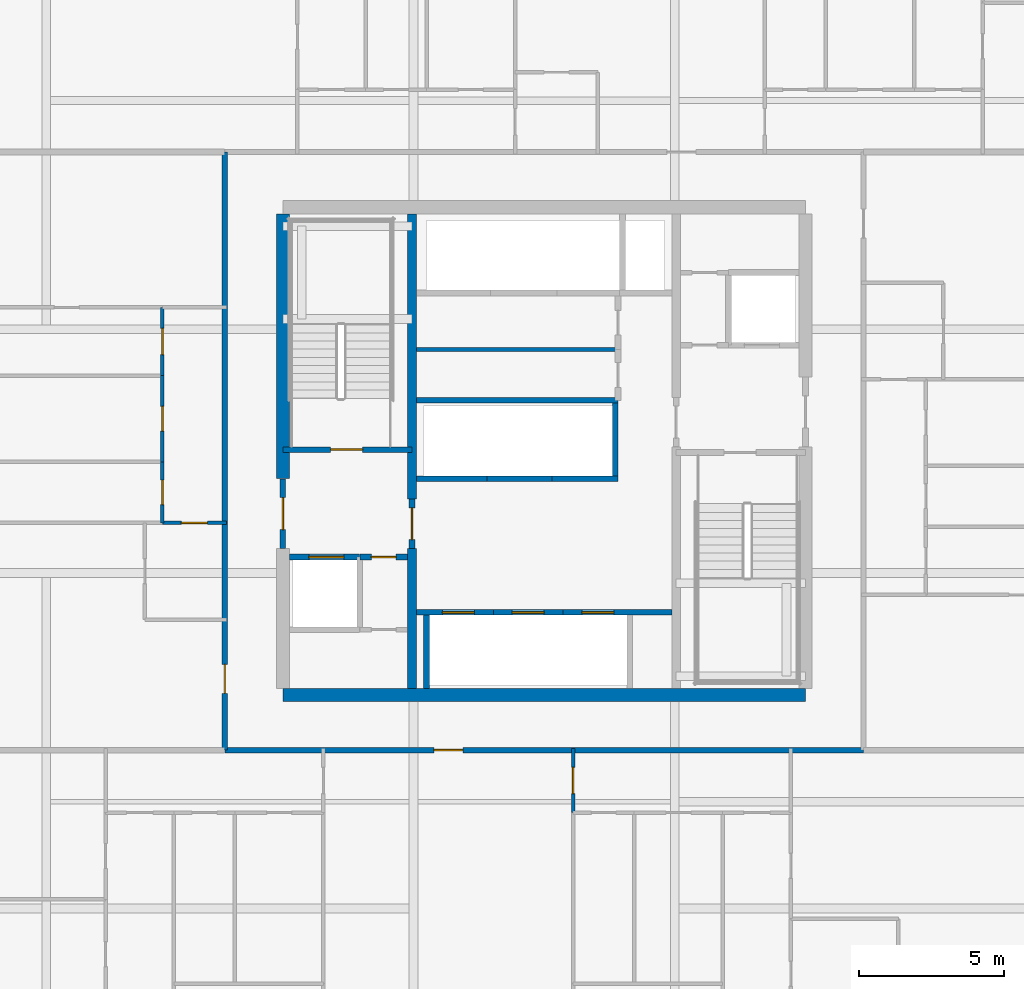
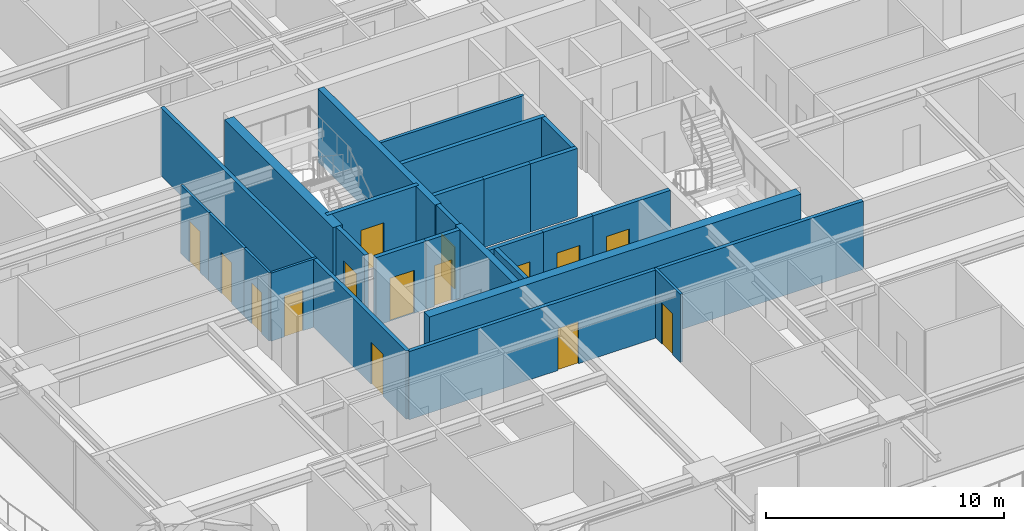
# One storey, part 28 of 41: 26 walls, 15 doors, 15 openings.
"""IFC4 building model written with IfcOpenShell, lengths in metres."""

from ifc_helpers import new_model, si_unit, direction, frame, frame_2d, origin, place, context, subcontext, project, spatial, rectangle, extrude, source, transform, mapped, material, layer, layer_set, type_object, element, fill, save


model = new_model("IFC4")

# Units and contexts
model_context = context("Model", 3, precision=1e-05, world=origin(), true_north=direction((0.0, 1.0)))
body_context = subcontext(model_context, "Body", "Model", "MODEL_VIEW")
ifc_project = project(units=[si_unit("LENGTHUNIT", "METRE"), si_unit("AREAUNIT", "SQUARE_METRE"), si_unit("VOLUMEUNIT", "CUBIC_METRE"), si_unit("PLANEANGLEUNIT", "RADIAN"), si_unit("MASSUNIT", "GRAM", prefix="KILO")], contexts=[model_context])

# Site, building, storey
site_placement = place(None, origin())
site = spatial("IfcSite", under=ifc_project, at=site_placement, CompositionType="ELEMENT")
building_placement = place(site_placement, origin())
building = spatial("IfcBuilding", under=site, at=building_placement, Name="Serunith Strait Residences", CompositionType="ELEMENT")
storey_placement = place(building_placement, frame((0.0, 0.0, 75.449951171875)))
storey = spatial("IfcBuildingStorey", under=building, at=storey_placement, Name="L18", CompositionType="ELEMENT", Elevation=75.449951171875)

# Wall
ifc_material_1 = material(Name="Fire-rated masonry service closet wall", Category="masonry")
ifc_layer_1 = layer(ifc_material_1, 0.14990234375, Name="Fire-rated masonry service closet wall")
ifc_layer_set_1 = layer_set([ifc_layer_1], Name="Fire-rated masonry service closet wall")
wall_type_1 = type_object("IfcWallType", Name="IW-BOH-150", PredefinedType="PARTITIONING", material=ifc_layer_set_1)
wall_1_placement = place(storey_placement, frame((28.0, 28.699951171875, 0.0), z_axis=(0.0, 0.0, 1.0), x_axis=(1.0, 0.0, 0.0)))
element("IfcWall", 1, at=wall_1_placement, inside=storey, type_object=wall_type_1, Name="L18 Partition Wall 016", PredefinedType="PARTITIONING", context=body_context, shape_type="SweptSolid", body=[
    extrude(rectangle(XDim=6.949951171875, YDim=0.14990234375, at=frame_2d((3.47509765625, 0.0))), origin(), (0.0, 0.0, 1.0), 3.489990234375),
])

# Wall, opening, door
ifc_material_2 = material(Name="Fire-rated acoustic gypsum partition")
ifc_layer_2 = layer(ifc_material_2, 0.179931640625, Name="Fire-rated acoustic gypsum partition")
ifc_layer_set_2 = layer_set([ifc_layer_2], Name="Fire-rated acoustic gypsum partition")
wall_type_2 = type_object("IfcWallType", Name="IW-CORR-180", PredefinedType="PARTITIONING", material=ifc_layer_set_2)
wall_2_placement = place(storey_placement, frame((21.402099609375, 14.89990234375, 0.0), z_axis=(0.0, 0.0, 1.0), x_axis=(1.0, 0.0, 0.0)))
wall_2 = element("IfcWall", 2, at=wall_2_placement, inside=storey, type_object=wall_type_2, Name="L18 Partition Wall 021", PredefinedType="PARTITIONING", context=body_context, shape_type="SweptSolid", body=[
    extrude(rectangle(XDim=21.995849609375, YDim=0.179931640625, at=frame_2d((10.998046875, 0.0))), origin(), (0.0, 0.0, 1.0), 3.489990234375),
])
opening_1_placement = place(wall_2_placement, frame((7.201904296875, 0.0, 0.0)))
opening_1 = element("IfcOpeningElement", 3, at=opening_1_placement, cuts=wall_2, Name="Opening D-APT1000", PredefinedType="OPENING", context=body_context, shape_type="SweptSolid", body=[
    extrude(rectangle(XDim=1.0, YDim=2.14990234375, at=frame_2d((0.5, 1.074951171875))), frame((0.0, 0.10009765625, 0.0), z_axis=(0.0, -1.0, 0.0), x_axis=(1.0, 0.0, 0.0)), (0.0, 0.0, 1.0), 0.199951171875),
])
ifc_material_3 = material(Name="Solid timber engineered fire door", Category="wood")
door_type_1 = type_object("IfcDoorType", Name="ID-APT-1000", OperationType="NOTDEFINED", PredefinedType="DOOR", material=ifc_material_3)
shared_shape_1 = source(origin(), body_context, "Body", "SweptSolid", [
    extrude(rectangle(XDim=1.0, YDim=2.14990234375, at=frame_2d((0.5, 1.074951171875))), frame((0.0, 0.02490234375, 0.0), z_axis=(0.0, -1.0, 0.0), x_axis=(1.0, 0.0, 0.0)), (0.0, 0.0, 1.0), 0.050048828125),
])
door_1_placement = place(opening_1_placement, origin())
door_1 = element("IfcDoor", 4, at=door_1_placement, inside=storey, type_object=door_type_1, Name="L18 Unit 01 Entrance Door", OperationType="SINGLE_SWING_RIGHT", OverallHeight=2.14990234375, OverallWidth=1.0, PredefinedType="DOOR", context=body_context, shape_type="MappedRepresentation", body=[
    mapped(shared_shape_1, transform((0.0, 0.0, 0.0), scale=1.0)),
])
fill(opening_1, door_1)

wall_3_placement = place(storey_placement, frame((21.39990234375, 14.89990234375, 0.0), z_axis=(0.0, 0.0, 1.0), x_axis=(0.0, 1.0, 0.0)))
wall_3 = element("IfcWall", 5, at=wall_3_placement, inside=storey, type_object=wall_type_2, Name="L18 Partition Wall 023", PredefinedType="PARTITIONING", context=body_context, shape_type="SweptSolid", body=[
    extrude(rectangle(XDim=20.60009765625, YDim=0.179931640625, at=frame_2d((10.300048828125, 0.0))), origin(), (0.0, 0.0, 1.0), 3.489990234375),
])
opening_2_placement = place(wall_3_placement, frame((1.9599609375, 0.0, 0.0)))
opening_2 = element("IfcOpeningElement", 6, at=opening_2_placement, cuts=wall_3, Name="Opening D-APT1000", PredefinedType="OPENING", context=body_context, shape_type="SweptSolid", body=[
    extrude(rectangle(XDim=1.0, YDim=2.14990234375, at=frame_2d((0.5, 1.074951171875))), frame((0.0, 0.10009765625, 0.0), z_axis=(0.0, -1.0, 0.0), x_axis=(1.0, 0.0, 0.0)), (0.0, 0.0, 1.0), 0.199951171875),
])
door_2_placement = place(opening_2_placement, origin())
door_2 = element("IfcDoor", 7, at=door_2_placement, inside=storey, type_object=door_type_1, Name="L18 Unit 03 Entrance Door", OperationType="SINGLE_SWING_RIGHT", OverallHeight=2.14990234375, OverallWidth=1.0, PredefinedType="DOOR", context=body_context, shape_type="MappedRepresentation", body=[
    mapped(shared_shape_1, transform((0.0, 0.0, 0.0), scale=1.0)),
])
fill(opening_2, door_2)

ifc_material_4 = material(Name="Lightweight steel-stud gypsum partition", Category="steel")
ifc_layer_3 = layer(ifc_material_4, 0.1201171875, Name="Lightweight steel-stud gypsum partition")
ifc_layer_set_3 = layer_set([ifc_layer_3], Name="Lightweight steel-stud gypsum partition")
wall_type_3 = type_object("IfcWallType", Name="IW-PART-120", PredefinedType="PARTITIONING", material=ifc_layer_set_3)
wall_4_placement = place(storey_placement, frame((33.39990234375, 12.75, 0.0), z_axis=(0.0, 0.0, 1.0), x_axis=(0.0, 1.0, 0.0)))
wall_4 = element("IfcWall", 8, at=wall_4_placement, inside=storey, type_object=wall_type_3, Name="L18 Partition Wall 040", PredefinedType="PARTITIONING", context=body_context, shape_type="SweptSolid", body=[
    extrude(rectangle(XDim=2.2099609375, YDim=0.1201171875, at=frame_2d((1.10498046875, 0.0))), origin(), (0.0, 0.0, 1.0), 3.489990234375),
])
opening_3_placement = place(wall_4_placement, frame((0.655029296875, 0.0, 0.0)))
opening_3 = element("IfcOpeningElement", 9, at=opening_3_placement, cuts=wall_4, Name="Opening D-RM900", PredefinedType="OPENING", context=body_context, shape_type="SweptSolid", body=[
    extrude(rectangle(XDim=0.89990234375, YDim=2.10009765625, at=frame_2d((0.449951171875, 1.050048828125))), frame((0.0, 0.070068359375, 0.0), z_axis=(0.0, -1.0, 0.0), x_axis=(1.0, 0.0, 0.0)), (0.0, 0.0, 1.0), 0.14013671875),
])
ifc_material_5 = material(Name="Engineered timber flush bedroom door", Category="wood")
door_type_2 = type_object("IfcDoorType", Name="ID-ROOM-900", OperationType="NOTDEFINED", PredefinedType="DOOR", material=ifc_material_5)
shared_shape_2 = source(origin(), body_context, "Body", "SweptSolid", [
    extrude(rectangle(XDim=0.89990234375, YDim=2.10009765625, at=frame_2d((0.449951171875, 1.050048828125))), frame((0.0, 0.02490234375, 0.0), z_axis=(0.0, -1.0, 0.0), x_axis=(1.0, 0.0, 0.0)), (0.0, 0.0, 1.0), 0.050048828125),
])
door_3_placement = place(opening_3_placement, origin())
door_3 = element("IfcDoor", 10, at=door_3_placement, inside=storey, type_object=door_type_2, Name="L18 Hall E 1801 Door", OperationType="SINGLE_SWING_LEFT", OverallHeight=2.10009765625, OverallWidth=0.89990234375, PredefinedType="DOOR", context=body_context, shape_type="MappedRepresentation", body=[
    mapped(shared_shape_2, transform((0.0, 0.0, 0.0), scale=1.0)),
])
fill(opening_3, door_3)

wall_5_placement = place(storey_placement, frame((19.25, 22.72998046875, 0.0), z_axis=(0.0, 0.0, 1.0), x_axis=(1.0, 0.0, 0.0)))
wall_5 = element("IfcWall", 11, at=wall_5_placement, inside=storey, type_object=wall_type_3, Name="L18 Partition Wall 089", PredefinedType="PARTITIONING", context=body_context, shape_type="SweptSolid", body=[
    extrude(rectangle(XDim=2.2099609375, YDim=0.1201171875, at=frame_2d((1.10498046875, 0.0))), origin(), (0.0, 0.0, 1.0), 3.489990234375),
])
opening_4_placement = place(wall_5_placement, frame((0.655029296875, 0.0, 0.0)))
opening_4 = element("IfcOpeningElement", 12, at=opening_4_placement, cuts=wall_5, Name="Opening D-RM900", PredefinedType="OPENING", context=body_context, shape_type="SweptSolid", body=[
    extrude(rectangle(XDim=0.89990234375, YDim=2.10009765625, at=frame_2d((0.449951171875, 1.050048828125))), frame((0.0, 0.070068359375, 0.0), z_axis=(0.0, -1.0, 0.0), x_axis=(1.0, 0.0, 0.0)), (0.0, 0.0, 1.0), 0.14013671875),
])
door_4_placement = place(opening_4_placement, origin())
door_4 = element("IfcDoor", 13, at=door_4_placement, inside=storey, type_object=door_type_2, Name="L18 Hall E 1803 Door", OperationType="SINGLE_SWING_RIGHT", OverallHeight=2.10009765625, OverallWidth=0.89990234375, PredefinedType="DOOR", context=body_context, shape_type="MappedRepresentation", body=[
    mapped(shared_shape_2, transform((0.0, 0.0, 0.0), scale=1.0)),
])
fill(opening_4, door_4)

wall_6_placement = place(storey_placement, frame((19.25, 22.72998046875, 0.0), z_axis=(0.0, 0.0, 1.0), x_axis=(0.0, 1.0, 0.0)))
wall_6 = element("IfcWall", 14, at=wall_6_placement, inside=storey, type_object=wall_type_3, Name="L18 Partition Wall 095", PredefinedType="PARTITIONING", context=body_context, shape_type="SweptSolid", body=[
    extrude(rectangle(XDim=2.10009765625, YDim=0.1201171875, at=frame_2d((1.050048828125, 0.0))), origin(), (0.0, 0.0, 1.0), 3.489990234375),
])
opening_5_placement = place(wall_6_placement, frame((0.625, 0.0, 0.0)))
opening_5 = element("IfcOpeningElement", 15, at=opening_5_placement, cuts=wall_6, Name="Opening D-BTH850", PredefinedType="OPENING", context=body_context, shape_type="SweptSolid", body=[
    extrude(rectangle(XDim=0.85009765625, YDim=2.10009765625, at=frame_2d((0.425048828125, 1.050048828125))), frame((0.0, 0.070068359375, 0.0), z_axis=(0.0, -1.0, 0.0), x_axis=(1.0, 0.0, 0.0)), (0.0, 0.0, 1.0), 0.14013671875),
])
ifc_material_6 = material(Name="Moisture-resistant timber bathroom door", Category="wood")
door_type_3 = type_object("IfcDoorType", Name="ID-BATH-850", OperationType="NOTDEFINED", PredefinedType="DOOR", material=ifc_material_6)
shared_shape_3 = source(origin(), body_context, "Body", "SweptSolid", [
    extrude(rectangle(XDim=0.85009765625, YDim=2.10009765625, at=frame_2d((0.425048828125, 1.050048828125))), frame((0.0, 0.02490234375, 0.0), z_axis=(0.0, -1.0, 0.0), x_axis=(1.0, 0.0, 0.0)), (0.0, 0.0, 1.0), 0.050048828125),
])
door_5_placement = place(opening_5_placement, origin())
door_5 = element("IfcDoor", 16, at=door_5_placement, inside=storey, type_object=door_type_3, Name="L18 Bathroom 1803 Door", OperationType="SINGLE_SWING_RIGHT", OverallHeight=2.10009765625, OverallWidth=0.85009765625, PredefinedType="DOOR", context=body_context, shape_type="MappedRepresentation", body=[
    mapped(shared_shape_3, transform((0.0, 0.0, 0.0), scale=1.0)),
])
fill(opening_5, door_5)

wall_7_placement = place(storey_placement, frame((19.25, 24.83203125, 0.0), z_axis=(0.0, 0.0, 1.0), x_axis=(0.0, 1.0, 0.0)))
wall_7 = element("IfcWall", 17, at=wall_7_placement, inside=storey, type_object=wall_type_3, Name="L18 Partition Wall 096", PredefinedType="PARTITIONING", context=body_context, shape_type="SweptSolid", body=[
    extrude(rectangle(XDim=2.968017578125, YDim=0.1201171875, at=frame_2d((1.48388671875, 0.0))), origin(), (0.0, 0.0, 1.0), 3.489990234375),
])
opening_6_placement = place(wall_7_placement, frame((1.05908203125, 0.0, 0.0)))
opening_6 = element("IfcOpeningElement", 18, at=opening_6_placement, cuts=wall_7, Name="Opening D-RM850", PredefinedType="OPENING", context=body_context, shape_type="SweptSolid", body=[
    extrude(rectangle(XDim=0.85009765625, YDim=2.10009765625, at=frame_2d((0.425048828125, 1.050048828125))), frame((0.0, 0.070068359375, 0.0), z_axis=(0.0, -1.0, 0.0), x_axis=(1.0, 0.0, 0.0)), (0.0, 0.0, 1.0), 0.14013671875),
])
ifc_material_7 = material(Name="Engineered timber flush study and kitchen door", Category="wood")
door_type_4 = type_object("IfcDoorType", Name="ID-ROOM-850", OperationType="NOTDEFINED", PredefinedType="DOOR", material=ifc_material_7)
door_6_placement = place(opening_6_placement, origin())
door_6 = element("IfcDoor", 19, at=door_6_placement, inside=storey, type_object=door_type_4, Name="L18 Study 1803 Door", OperationType="SINGLE_SWING_LEFT", OverallHeight=2.10009765625, OverallWidth=0.85009765625, PredefinedType="DOOR", context=body_context, shape_type="MappedRepresentation", body=[
    mapped(shared_shape_3, transform((0.0, 0.0, 0.0), scale=1.0)),
])
fill(opening_6, door_6)

wall_8_placement = place(storey_placement, frame((19.25, 27.802001953125, 0.0), z_axis=(0.0, 0.0, 1.0), x_axis=(0.0, 1.0, 0.0)))
wall_8 = element("IfcWall", 20, at=wall_8_placement, inside=storey, type_object=wall_type_3, Name="L18 Partition Wall 097", PredefinedType="PARTITIONING", context=body_context, shape_type="SweptSolid", body=[
    extrude(rectangle(XDim=2.347900390625, YDim=0.1201171875, at=frame_2d((1.173828125, 0.0))), origin(), (0.0, 0.0, 1.0), 3.489990234375),
])
opening_7_placement = place(wall_8_placement, frame((0.72412109375, 0.0, 0.0)))
opening_7 = element("IfcOpeningElement", 21, at=opening_7_placement, cuts=wall_8, Name="Opening D-RM900", PredefinedType="OPENING", context=body_context, shape_type="SweptSolid", body=[
    extrude(rectangle(XDim=0.89990234375, YDim=2.10009765625, at=frame_2d((0.449951171875, 1.050048828125))), frame((0.0, 0.070068359375, 0.0), z_axis=(0.0, -1.0, 0.0), x_axis=(1.0, 0.0, 0.0)), (0.0, 0.0, 1.0), 0.14013671875),
])
door_7_placement = place(opening_7_placement, origin())
door_7 = element("IfcDoor", 22, at=door_7_placement, inside=storey, type_object=door_type_2, Name="L18 Master Bedroom E 1803 Door", OperationType="SINGLE_SWING_RIGHT", OverallHeight=2.10009765625, OverallWidth=0.89990234375, PredefinedType="DOOR", context=body_context, shape_type="MappedRepresentation", body=[
    mapped(shared_shape_2, transform((0.0, 0.0, 0.0), scale=1.0)),
])
fill(opening_7, door_7)

ifc_material_8 = material(Name="Autoclaved aerated concrete blockwork", Category="masonry")
ifc_layer_4 = layer(ifc_material_8, 0.199951171875, Name="Autoclaved aerated concrete blockwork")
ifc_layer_set_4 = layer_set([ifc_layer_4], Name="Autoclaved aerated concrete blockwork")
wall_type_4 = type_object("IfcWallType", Name="IW-SHAFT-200", PredefinedType="STANDARD", material=ifc_layer_set_4)
wall_9_placement = place(storey_placement, frame((23.39990234375, 25.25, 0.0), z_axis=(0.0, 0.0, 1.0), x_axis=(1.0, 0.0, 0.0)))
wall_9 = element("IfcWall", 23, at=wall_9_placement, inside=storey, type_object=wall_type_4, Name="L18 ST-1 South Shaft Wall", PredefinedType="STANDARD", context=body_context, shape_type="SweptSolid", body=[
    extrude(rectangle(XDim=4.4501953125, YDim=0.199951171875, at=frame_2d((2.22509765625, 0.0))), origin(), (0.0, 0.0, 1.0), 3.489990234375),
])
opening_8_placement = place(wall_9_placement, frame((1.64990234375, 0.0, 0.0)))
opening_8 = element("IfcOpeningElement", 24, at=opening_8_placement, cuts=wall_9, Name="Opening FD-1100", PredefinedType="OPENING", context=body_context, shape_type="SweptSolid", body=[
    extrude(rectangle(XDim=1.10009765625, YDim=2.14990234375, at=frame_2d((0.550048828125, 1.074951171875))), frame((0.0, 0.10986328125, 0.0), z_axis=(0.0, -1.0, 0.0), x_axis=(1.0, 0.0, 0.0)), (0.0, 0.0, 1.0), 0.219970703125),
])
ifc_material_9 = material(Name="Galvanised steel fire door leaf", Category="steel")
door_type_5 = type_object("IfcDoorType", Name="FD-STAIR-1100", OperationType="NOTDEFINED", PredefinedType="DOOR", material=ifc_material_9)
shared_shape_4 = source(origin(), body_context, "Body", "SweptSolid", [
    extrude(rectangle(XDim=1.10009765625, YDim=2.14990234375, at=frame_2d((0.550048828125, 1.074951171875))), frame((0.0, 0.02490234375, 0.0), z_axis=(0.0, -1.0, 0.0), x_axis=(1.0, 0.0, 0.0)), (0.0, 0.0, 1.0), 0.050048828125),
])
door_8_placement = place(opening_8_placement, origin())
door_8 = element("IfcDoor", 25, at=door_8_placement, inside=storey, type_object=door_type_5, Name="L18 ST-1 Escape Stair Door", OperationType="SINGLE_SWING_RIGHT", OverallHeight=2.14990234375, OverallWidth=1.10009765625, PredefinedType="DOOR", context=body_context, shape_type="MappedRepresentation", body=[
    mapped(shared_shape_4, transform((0.0, 0.0, 0.0), scale=1.0)),
])
fill(opening_8, door_8)

wall_10_placement = place(storey_placement, frame((23.625, 21.550048828125, 0.0), z_axis=(0.0, 0.0, 1.0), x_axis=(1.0, 0.0, 0.0)))
wall_10 = element("IfcWall", 26, at=wall_10_placement, inside=storey, type_object=wall_type_4, Name="L18 FL-1 North Shaft Wall", PredefinedType="STANDARD", context=body_context, shape_type="SweptSolid", body=[
    extrude(rectangle(XDim=2.425048828125, YDim=0.199951171875, at=frame_2d((1.21240234375, 0.0))), origin(), (0.0, 0.0, 1.0), 3.489990234375),
])
opening_9_placement = place(wall_10_placement, frame((0.675048828125, 0.0, 0.0)))
opening_9 = element("IfcOpeningElement", 27, at=opening_9_placement, cuts=wall_10, Name="Opening LD-FF1200", PredefinedType="OPENING", context=body_context, shape_type="SweptSolid", body=[
    extrude(rectangle(XDim=1.199951171875, YDim=2.199951171875, at=frame_2d((0.60009765625, 1.10009765625))), frame((0.0, 0.10986328125, 0.0), z_axis=(0.0, -1.0, 0.0), x_axis=(1.0, 0.0, 0.0)), (0.0, 0.0, 1.0), 0.219970703125),
])
ifc_material_10 = material(Name="Brushed stainless steel landing door", Category="steel")
door_type_6 = type_object("IfcDoorType", Name="LD-FF-1200", OperationType="DOUBLE_DOOR_SLIDING", PredefinedType="DOOR", material=ifc_material_10)
shared_shape_5 = source(origin(), body_context, "Body", "SweptSolid", [
    extrude(rectangle(XDim=1.199951171875, YDim=2.199951171875, at=frame_2d((0.60009765625, 1.10009765625))), frame((0.0, 0.02490234375, 0.0), z_axis=(0.0, -1.0, 0.0), x_axis=(1.0, 0.0, 0.0)), (0.0, 0.0, 1.0), 0.050048828125),
])
door_9_placement = place(opening_9_placement, origin())
door_9 = element("IfcDoor", 28, at=door_9_placement, inside=storey, type_object=door_type_6, Name="L18 FL-1 Landing Door", OperationType="DOUBLE_DOOR_SLIDING", OverallHeight=2.199951171875, OverallWidth=1.199951171875, PredefinedType="DOOR", context=body_context, shape_type="MappedRepresentation", body=[
    mapped(shared_shape_5, transform((0.0, 0.0, 0.0), scale=1.0)),
])
fill(opening_9, door_9)

wall_11_placement = place(storey_placement, frame((28.0, 19.64990234375, 0.0), z_axis=(0.0, 0.0, 1.0), x_axis=(1.0, 0.0, 0.0)))
wall_11 = element("IfcWall", 29, at=wall_11_placement, inside=storey, type_object=wall_type_4, Name="L18 PL-1 North Shaft Wall", PredefinedType="STANDARD", context=body_context, shape_type="SweptSolid", body=[
    extrude(rectangle(XDim=2.64990234375, YDim=0.199951171875, at=frame_2d((1.324951171875, 0.0))), origin(), (0.0, 0.0, 1.0), 3.489990234375),
])
opening_10_placement = place(wall_11_placement, frame((0.89990234375, 0.0, 0.0)))
opening_10 = element("IfcOpeningElement", 30, at=opening_10_placement, cuts=wall_11, Name="Opening LD-1100", PredefinedType="OPENING", context=body_context, shape_type="SweptSolid", body=[
    extrude(rectangle(XDim=1.10009765625, YDim=2.199951171875, at=frame_2d((0.550048828125, 1.10009765625))), frame((0.0, 0.10986328125, 0.0), z_axis=(0.0, -1.0, 0.0), x_axis=(1.0, 0.0, 0.0)), (0.0, 0.0, 1.0), 0.219970703125),
])
ifc_material_11 = material(Name="Pale-champagne stainless landing door")
door_type_7 = type_object("IfcDoorType", Name="LD-LIFT-1100", OperationType="DOUBLE_DOOR_SLIDING", PredefinedType="DOOR", material=ifc_material_11)
shared_shape_6 = source(origin(), body_context, "Body", "SweptSolid", [
    extrude(rectangle(XDim=1.10009765625, YDim=2.199951171875, at=frame_2d((0.550048828125, 1.10009765625))), frame((0.0, 0.02490234375, 0.0), z_axis=(0.0, -1.0, 0.0), x_axis=(1.0, 0.0, 0.0)), (0.0, 0.0, 1.0), 0.050048828125),
])
door_10_placement = place(opening_10_placement, origin())
door_10 = element("IfcDoor", 31, at=door_10_placement, inside=storey, type_object=door_type_7, Name="L18 PL-1 Landing Door", OperationType="DOUBLE_DOOR_SLIDING", OverallHeight=2.199951171875, OverallWidth=1.10009765625, PredefinedType="DOOR", context=body_context, shape_type="MappedRepresentation", body=[
    mapped(shared_shape_6, transform((0.0, 0.0, 0.0), scale=1.0)),
])
fill(opening_10, door_10)

# Wall
wall_12_placement = place(storey_placement, frame((28.35009765625, 17.02490234375, 0.0), z_axis=(0.0, 0.0, 1.0), x_axis=(0.0, 1.0, 0.0)))
element("IfcWall", 32, at=wall_12_placement, inside=storey, type_object=wall_type_4, Name="L18 PL-1 West Shaft Wall", PredefinedType="STANDARD", context=body_context, shape_type="SweptSolid", body=[
    extrude(rectangle(XDim=2.525146484375, YDim=0.199951171875, at=frame_2d((1.2626953125, 0.0))), origin(), (0.0, 0.0, 1.0), 3.489990234375),
])

# Wall, opening, door
wall_13_placement = place(storey_placement, frame((30.64990234375, 19.64990234375, 0.0), z_axis=(0.0, 0.0, 1.0), x_axis=(1.0, 0.0, 0.0)))
wall_13 = element("IfcWall", 33, at=wall_13_placement, inside=storey, type_object=wall_type_4, Name="L18 PL-2 North Shaft Wall", PredefinedType="STANDARD", context=body_context, shape_type="SweptSolid", body=[
    extrude(rectangle(XDim=2.400146484375, YDim=0.199951171875, at=frame_2d((1.2001953125, 0.0))), origin(), (0.0, 0.0, 1.0), 3.489990234375),
])
opening_11_placement = place(wall_13_placement, frame((0.64990234375, 0.0, 0.0)))
opening_11 = element("IfcOpeningElement", 34, at=opening_11_placement, cuts=wall_13, Name="Opening LD-1100", PredefinedType="OPENING", context=body_context, shape_type="SweptSolid", body=[
    extrude(rectangle(XDim=1.10009765625, YDim=2.199951171875, at=frame_2d((0.550048828125, 1.10009765625))), frame((0.0, 0.10986328125, 0.0), z_axis=(0.0, -1.0, 0.0), x_axis=(1.0, 0.0, 0.0)), (0.0, 0.0, 1.0), 0.219970703125),
])
door_11_placement = place(opening_11_placement, origin())
door_11 = element("IfcDoor", 35, at=door_11_placement, inside=storey, type_object=door_type_7, Name="L18 PL-2 Landing Door", OperationType="DOUBLE_DOOR_SLIDING", OverallHeight=2.199951171875, OverallWidth=1.10009765625, PredefinedType="DOOR", context=body_context, shape_type="MappedRepresentation", body=[
    mapped(shared_shape_6, transform((0.0, 0.0, 0.0), scale=1.0)),
])
fill(opening_11, door_11)

wall_14_placement = place(storey_placement, frame((33.050048828125, 19.64990234375, 0.0), z_axis=(0.0, 0.0, 1.0), x_axis=(1.0, 0.0, 0.0)))
wall_14 = element("IfcWall", 36, at=wall_14_placement, inside=storey, type_object=wall_type_4, Name="L18 PL-3 North Shaft Wall", PredefinedType="STANDARD", context=body_context, shape_type="SweptSolid", body=[
    extrude(rectangle(XDim=3.75, YDim=0.199951171875, at=frame_2d((1.875, 0.0))), origin(), (0.0, 0.0, 1.0), 3.489990234375),
])
opening_12_placement = place(wall_14_placement, frame((0.64990234375, 0.0, 0.0)))
opening_12 = element("IfcOpeningElement", 37, at=opening_12_placement, cuts=wall_14, Name="Opening LD-1100", PredefinedType="OPENING", context=body_context, shape_type="SweptSolid", body=[
    extrude(rectangle(XDim=1.10009765625, YDim=2.199951171875, at=frame_2d((0.550048828125, 1.10009765625))), frame((0.0, 0.10986328125, 0.0), z_axis=(0.0, -1.0, 0.0), x_axis=(1.0, 0.0, 0.0)), (0.0, 0.0, 1.0), 0.219970703125),
])
door_12_placement = place(opening_12_placement, origin())
door_12 = element("IfcDoor", 38, at=door_12_placement, inside=storey, type_object=door_type_7, Name="L18 PL-3 Landing Door", OperationType="DOUBLE_DOOR_SLIDING", OverallHeight=2.199951171875, OverallWidth=1.10009765625, PredefinedType="DOOR", context=body_context, shape_type="MappedRepresentation", body=[
    mapped(shared_shape_6, transform((0.0, 0.0, 0.0), scale=1.0)),
])
fill(opening_12, door_12)

# Walls
wall_15_placement = place(storey_placement, frame((28.0, 24.25, 0.0), z_axis=(0.0, 0.0, 1.0), x_axis=(1.0, 0.0, 0.0)))
element("IfcWall", 39, at=wall_15_placement, inside=storey, type_object=wall_type_4, Name="L18 PL-4 South Shaft Wall", PredefinedType="STANDARD", context=body_context, shape_type="SweptSolid", body=[
    extrude(rectangle(XDim=2.425048828125, YDim=0.199951171875, at=frame_2d((1.21240234375, 0.0))), origin(), (0.0, 0.0, 1.0), 3.489990234375),
])
wall_16_placement = place(storey_placement, frame((30.425048828125, 24.25, 0.0), z_axis=(0.0, 0.0, 1.0), x_axis=(1.0, 0.0, 0.0)))
element("IfcWall", 40, at=wall_16_placement, inside=storey, type_object=wall_type_4, Name="L18 PL-5 South Shaft Wall", PredefinedType="STANDARD", context=body_context, shape_type="SweptSolid", body=[
    extrude(rectangle(XDim=2.25, YDim=0.199951171875, at=frame_2d((1.125, 0.0))), origin(), (0.0, 0.0, 1.0), 3.489990234375),
])
wall_17_placement = place(storey_placement, frame((32.675048828125, 24.25, 0.0), z_axis=(0.0, 0.0, 1.0), x_axis=(1.0, 0.0, 0.0)))
element("IfcWall", 41, at=wall_17_placement, inside=storey, type_object=wall_type_4, Name="L18 PL-6 South Shaft Wall", PredefinedType="STANDARD", context=body_context, shape_type="SweptSolid", body=[
    extrude(rectangle(XDim=2.27490234375, YDim=0.199951171875, at=frame_2d((1.137451171875, 0.0))), origin(), (0.0, 0.0, 1.0), 3.489990234375),
])
wall_18_placement = place(storey_placement, frame((34.85009765625, 24.35009765625, 0.0), z_axis=(0.0, 0.0, 1.0), x_axis=(0.0, 1.0, 0.0)))
element("IfcWall", 42, at=wall_18_placement, inside=storey, type_object=wall_type_4, Name="L18 PL-6 East Shaft Wall", PredefinedType="STANDARD", context=body_context, shape_type="SweptSolid", body=[
    extrude(rectangle(XDim=2.5, YDim=0.199951171875, at=frame_2d((1.25, 0.0))), origin(), (0.0, 0.0, 1.0), 3.489990234375),
])

# Wall, opening, door
wall_19_placement = place(storey_placement, frame((26.052001953125, 21.550048828125, 0.0), z_axis=(0.0, 0.0, 1.0), x_axis=(1.0, 0.0, 0.0)))
wall_19 = element("IfcWall", 43, at=wall_19_placement, inside=storey, type_object=wall_type_4, Name="L18 Partition Wall 003", PredefinedType="STANDARD", context=body_context, shape_type="SweptSolid", body=[
    extrude(rectangle(XDim=1.64794921875, YDim=0.199951171875, at=frame_2d((0.823974609375, 0.0))), origin(), (0.0, 0.0, 1.0), 3.489990234375),
])
opening_13_placement = place(wall_19_placement, frame((0.39892578125, 0.0, 0.0)))
opening_13 = element("IfcOpeningElement", 44, at=opening_13_placement, cuts=wall_19, Name="Opening FD-850", PredefinedType="OPENING", context=body_context, shape_type="SweptSolid", body=[
    extrude(rectangle(XDim=0.85009765625, YDim=2.10009765625, at=frame_2d((0.425048828125, 1.050048828125))), frame((0.0, 0.10986328125, 0.0), z_axis=(0.0, -1.0, 0.0), x_axis=(1.0, 0.0, 0.0)), (0.0, 0.0, 1.0), 0.219970703125),
])
ifc_material_12 = material(Name="Powder-coated steel service closet door", Category="steel")
door_type_8 = type_object("IfcDoorType", Name="FD-BOH-850", OperationType="NOTDEFINED", PredefinedType="DOOR", material=ifc_material_12)
door_13_placement = place(opening_13_placement, origin())
door_13 = element("IfcDoor", 45, at=door_13_placement, inside=storey, type_object=door_type_8, Name="L18 South-West Core Service Door", OperationType="SINGLE_SWING_RIGHT", OverallHeight=2.10009765625, OverallWidth=0.85009765625, PredefinedType="DOOR", context=body_context, shape_type="MappedRepresentation", body=[
    mapped(shared_shape_3, transform((0.0, 0.0, 0.0), scale=1.0)),
])
fill(opening_13, door_13)

wall_20_placement = place(storey_placement, frame((23.39990234375, 21.85205078125, 0.0), z_axis=(0.0, 0.0, 1.0), x_axis=(0.0, 1.0, 0.0)))
wall_20 = element("IfcWall", 46, at=wall_20_placement, inside=storey, type_object=wall_type_4, Name="L18 Partition Wall 007", PredefinedType="STANDARD", context=body_context, shape_type="SweptSolid", body=[
    extrude(rectangle(XDim=2.39599609375, YDim=0.199951171875, at=frame_2d((1.197998046875, 0.0))), origin(), (0.0, 0.0, 1.0), 3.489990234375),
])
opening_14_placement = place(wall_20_placement, frame((0.64794921875, 0.0, 0.0)))
opening_14 = element("IfcOpeningElement", 47, at=opening_14_placement, cuts=wall_20, Name="Opening FD-FFL", PredefinedType="OPENING", context=body_context, shape_type="SweptSolid", body=[
    extrude(rectangle(XDim=1.10009765625, YDim=2.14990234375, at=frame_2d((0.550048828125, 1.074951171875))), frame((0.0, 0.10986328125, 0.0), z_axis=(0.0, -1.0, 0.0), x_axis=(1.0, 0.0, 0.0)), (0.0, 0.0, 1.0), 0.219970703125),
])
ifc_material_13 = material(Name="Glazed steel smoke-lobby fire door", Category="steel")
door_type_9 = type_object("IfcDoorType", Name="FD-FFL-1100", OperationType="NOTDEFINED", PredefinedType="DOOR", material=ifc_material_13)
door_14_placement = place(opening_14_placement, origin())
door_14 = element("IfcDoor", 48, at=door_14_placement, inside=storey, type_object=door_type_9, Name="L18 FFL-1 Corridor Fire Door", OperationType="SINGLE_SWING_RIGHT", OverallHeight=2.14990234375, OverallWidth=1.10009765625, PredefinedType="DOOR", context=body_context, shape_type="MappedRepresentation", body=[
    mapped(shared_shape_4, transform((0.0, 0.0, 0.0), scale=1.0)),
])
fill(opening_14, door_14)

wall_21_placement = place(storey_placement, frame((27.85009765625, 21.85205078125, 0.0), z_axis=(0.0, 0.0, 1.0), x_axis=(0.0, 1.0, 0.0)))
wall_21 = element("IfcWall", 49, at=wall_21_placement, inside=storey, type_object=wall_type_4, Name="L18 Partition Wall 009", PredefinedType="STANDARD", context=body_context, shape_type="SweptSolid", body=[
    extrude(rectangle(XDim=1.696044921875, YDim=0.199951171875, at=frame_2d((0.84814453125, 0.0))), origin(), (0.0, 0.0, 1.0), 3.489990234375),
])
opening_15_placement = place(wall_21_placement, frame((0.298095703125, 0.0, 0.0)))
opening_15 = element("IfcOpeningElement", 50, at=opening_15_placement, cuts=wall_21, Name="Opening FD-FFL", PredefinedType="OPENING", context=body_context, shape_type="SweptSolid", body=[
    extrude(rectangle(XDim=1.10009765625, YDim=2.14990234375, at=frame_2d((0.550048828125, 1.074951171875))), frame((0.0, 0.10986328125, 0.0), z_axis=(0.0, -1.0, 0.0), x_axis=(1.0, 0.0, 0.0)), (0.0, 0.0, 1.0), 0.219970703125),
])
door_15_placement = place(opening_15_placement, origin())
door_15 = element("IfcDoor", 51, at=door_15_placement, inside=storey, type_object=door_type_9, Name="L18 FFL-1 Lift Lobby Door", OperationType="SINGLE_SWING_RIGHT", OverallHeight=2.14990234375, OverallWidth=1.10009765625, PredefinedType="DOOR", context=body_context, shape_type="MappedRepresentation", body=[
    mapped(shared_shape_4, transform((0.0, 0.0, 0.0), scale=1.0)),
])
fill(opening_15, door_15)

# Walls
wall_22_placement = place(storey_placement, frame((28.0, 26.949951171875, 0.0), z_axis=(0.0, 0.0, 1.0), x_axis=(1.0, 0.0, 0.0)))
element("IfcWall", 52, at=wall_22_placement, inside=storey, type_object=wall_type_4, Name="L18 Partition Wall 011", PredefinedType="STANDARD", context=body_context, shape_type="SweptSolid", body=[
    extrude(rectangle(XDim=6.949951171875, YDim=0.199951171875, at=frame_2d((3.47509765625, 0.0))), origin(), (0.0, 0.0, 1.0), 3.489990234375),
])
ifc_material_14 = material(Name="Concrete C80/95", Category="concrete")
ifc_layer_5 = layer(ifc_material_14, 0.300048828125, Name="Concrete C80/95")
ifc_layer_set_5 = layer_set([ifc_layer_5], Name="Concrete C80/95")
wall_type_5 = type_object("IfcWallType", Name="SW-300-C80", PredefinedType="SHEAR", material=ifc_layer_set_5)
wall_23_placement = place(storey_placement, frame((27.85009765625, 17.02490234375, -0.260009765625), z_axis=(0.0, 0.0, 1.0), x_axis=(0.0, 1.0, 0.0)))
element("IfcWall", 53, at=wall_23_placement, inside=storey, type_object=wall_type_5, Name="L18 Core Internal West Web South Pier", PredefinedType="SHEAR", context=body_context, shape_type="SweptSolid", body=[
    extrude(rectangle(XDim=4.8251953125, YDim=0.300048828125, at=frame_2d((2.41259765625, 0.0))), origin(), (0.0, 0.0, 1.0), 3.748046875),
])
wall_24_placement = place(storey_placement, frame((27.85009765625, 23.550048828125, -0.260009765625), z_axis=(0.0, 0.0, 1.0), x_axis=(0.0, 1.0, 0.0)))
element("IfcWall", 54, at=wall_24_placement, inside=storey, type_object=wall_type_5, Name="L18 Core Internal West Web North Pier", PredefinedType="SHEAR", context=body_context, shape_type="SweptSolid", body=[
    extrude(rectangle(XDim=9.824951171875, YDim=0.300048828125, at=frame_2d((4.91259765625, 0.0))), origin(), (0.0, 0.0, 1.0), 3.748046875),
])
ifc_layer_6 = layer(ifc_material_14, 0.449951171875, Name="Concrete C80/95")
ifc_layer_set_6 = layer_set([ifc_layer_6], Name="Concrete C80/95")
wall_type_6 = type_object("IfcWallType", Name="SW-450-C80", PredefinedType="SHEAR", material=ifc_layer_set_6)
wall_25_placement = place(storey_placement, frame((23.39990234375, 16.800048828125, -0.260009765625), z_axis=(0.0, 0.0, 1.0), x_axis=(1.0, 0.0, 0.0)))
element("IfcWall", 55, at=wall_25_placement, inside=storey, type_object=wall_type_6, Name="L18 Core South Shear Wall", PredefinedType="SHEAR", context=body_context, shape_type="SweptSolid", body=[
    extrude(rectangle(XDim=18.0, YDim=0.449951171875, at=frame_2d((9.0, 0.0))), origin(), (0.0, 0.0, 1.0), 3.748046875),
])
wall_26_placement = place(storey_placement, frame((23.39990234375, 24.25, -0.260009765625), z_axis=(0.0, 0.0, 1.0), x_axis=(0.0, 1.0, 0.0)))
element("IfcWall", 56, at=wall_26_placement, inside=storey, type_object=wall_type_6, Name="L18 Core West Shear Wall North Pier", PredefinedType="SHEAR", context=body_context, shape_type="SweptSolid", body=[
    extrude(rectangle(XDim=9.125, YDim=0.449951171875, at=frame_2d((4.5625, 0.0))), origin(), (0.0, 0.0, 1.0), 3.748046875),
])

save(model, "model.ifc")
